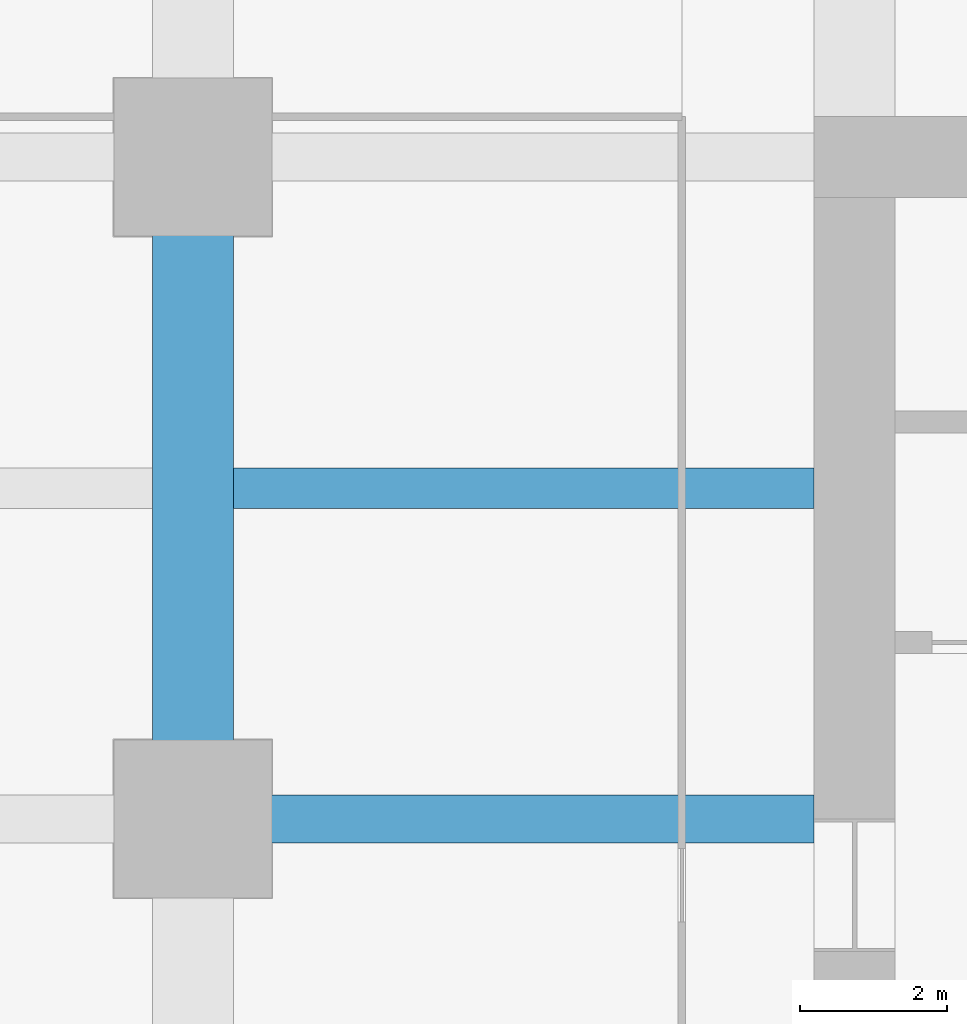
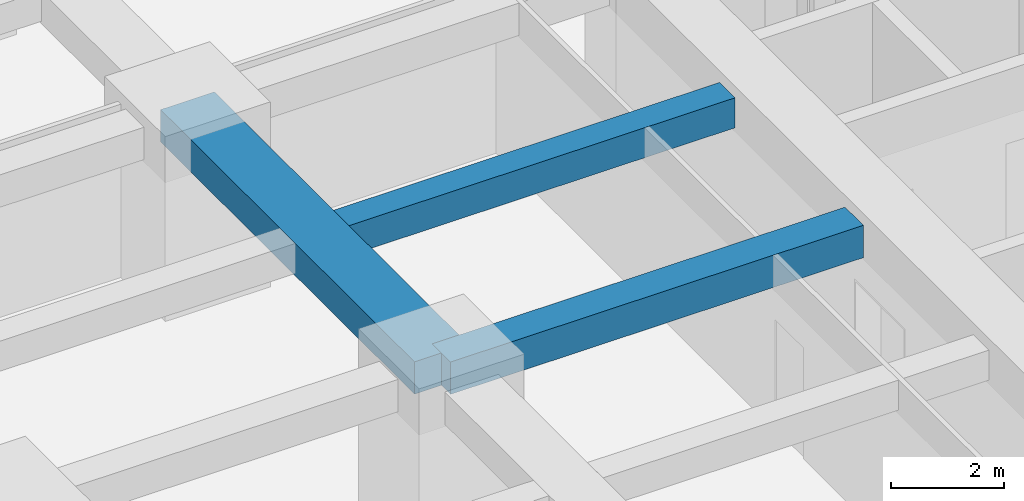
# One storey, part 12 of 44: 3 beams.
"""IFC4 building model written with IfcOpenShell, lengths in metres."""

from ifc_helpers import new_model, si_unit, direction, frame, origin, origin_2d, place, context, subcontext, project, spatial, rectangle, extrude, material, material_profile, profile_set, type_object, element, save


model = new_model("IFC4")

# Units and contexts
model_context = context("Model", 3, precision=1e-05, world=origin(), true_north=direction((0.0, 1.0)))
body_context = subcontext(model_context, "Body", "Model", "MODEL_VIEW")
ifc_project = project(units=[si_unit("LENGTHUNIT", "METRE"), si_unit("AREAUNIT", "SQUARE_METRE"), si_unit("VOLUMEUNIT", "CUBIC_METRE"), si_unit("PLANEANGLEUNIT", "RADIAN"), si_unit("MASSUNIT", "GRAM", prefix="KILO")], contexts=[model_context])

# Site, building, storey
site_placement = place(None, origin())
site = spatial("IfcSite", under=ifc_project, at=site_placement, CompositionType="ELEMENT")
building_placement = place(site_placement, origin())
building = spatial("IfcBuilding", under=site, at=building_placement, Name="Zorevar Civic Tower", CompositionType="ELEMENT")
storey_placement = place(building_placement, frame((0.0, 0.0, 59.800048828125)))
storey = spatial("IfcBuildingStorey", under=building, at=storey_placement, Name="L14", CompositionType="ELEMENT", Elevation=59.800048828125)

# Beams
ifc_material_1 = material(Name="Concrete C50/60", Category="concrete")
ifc_material_profile_1 = material_profile(ifc_material_1, rectangle(XDim=1.10009765625, YDim=0.699951171875, at=origin_2d()), Name="RC 1100x700")
ifc_profile_set_1 = profile_set([ifc_material_profile_1], Name="Concrete C50/60")
beam_type_1 = type_object("IfcBeamType", Name="Beam RC 1100x700", PredefinedType="BEAM", material=ifc_profile_set_1)
beam_1_placement = place(storey_placement, frame((9.0, 27.0, 3.39990234375), z_axis=(0.0, 1.0, 0.0), x_axis=(-1.0, 0.0, 0.0)))
element("IfcBeam", 1, at=beam_1_placement, inside=storey, type_object=beam_type_1, Name="Girder L15", PredefinedType="BEAM", context=body_context, shape_type="SweptSolid", body=[
    extrude(rectangle(XDim=1.10009765625, YDim=0.699951171875, at=origin_2d()), origin(), (0.0, 0.0, 1.0), 9.0),
])
ifc_material_2 = material(Name="Concrete C50/60", Category="concrete")
ifc_material_profile_2 = material_profile(ifc_material_2, rectangle(XDim=0.550048828125, YDim=0.64990234375, at=origin_2d()), Name="RC 550x650")
ifc_profile_set_2 = profile_set([ifc_material_profile_2], Name="Concrete C50/60")
beam_type_2 = type_object("IfcBeamType", Name="Beam RC 550x650", PredefinedType="BEAM", material=ifc_profile_set_2)
beam_2_placement = place(storey_placement, frame((9.550048828125, 31.5, 3.425048828125), z_axis=(1.0, 0.0, 0.0), x_axis=(0.0, 1.0, 0.0)))
element("IfcBeam", 2, at=beam_2_placement, inside=storey, type_object=beam_type_2, Name="Secondary beam L15", PredefinedType="BEAM", context=body_context, shape_type="SweptSolid", body=[
    extrude(rectangle(XDim=0.550048828125, YDim=0.64990234375, at=origin_2d()), origin(), (0.0, 0.0, 1.0), 7.89990234375),
])
ifc_material_3 = material(Name="Concrete C50/60", Category="concrete")
ifc_material_profile_3 = material_profile(ifc_material_3, rectangle(XDim=0.64990234375, YDim=0.699951171875, at=origin_2d()), Name="RC 650x700")
ifc_profile_set_3 = profile_set([ifc_material_profile_3], Name="Concrete C50/60")
beam_type_3 = type_object("IfcBeamType", Name="Beam RC 650x700", PredefinedType="BEAM", material=ifc_profile_set_3)
beam_3_placement = place(storey_placement, frame((9.0, 27.0, 3.39990234375), z_axis=(1.0, 0.0, 0.0), x_axis=(0.0, 1.0, 0.0)))
element("IfcBeam", 3, at=beam_3_placement, inside=storey, type_object=beam_type_3, Name="Girder L15", PredefinedType="BEAM", context=body_context, shape_type="SweptSolid", body=[
    extrude(rectangle(XDim=0.64990234375, YDim=0.699951171875, at=origin_2d()), origin(), (0.0, 0.0, 1.0), 8.449951171875),
])

save(model, "model.ifc")
